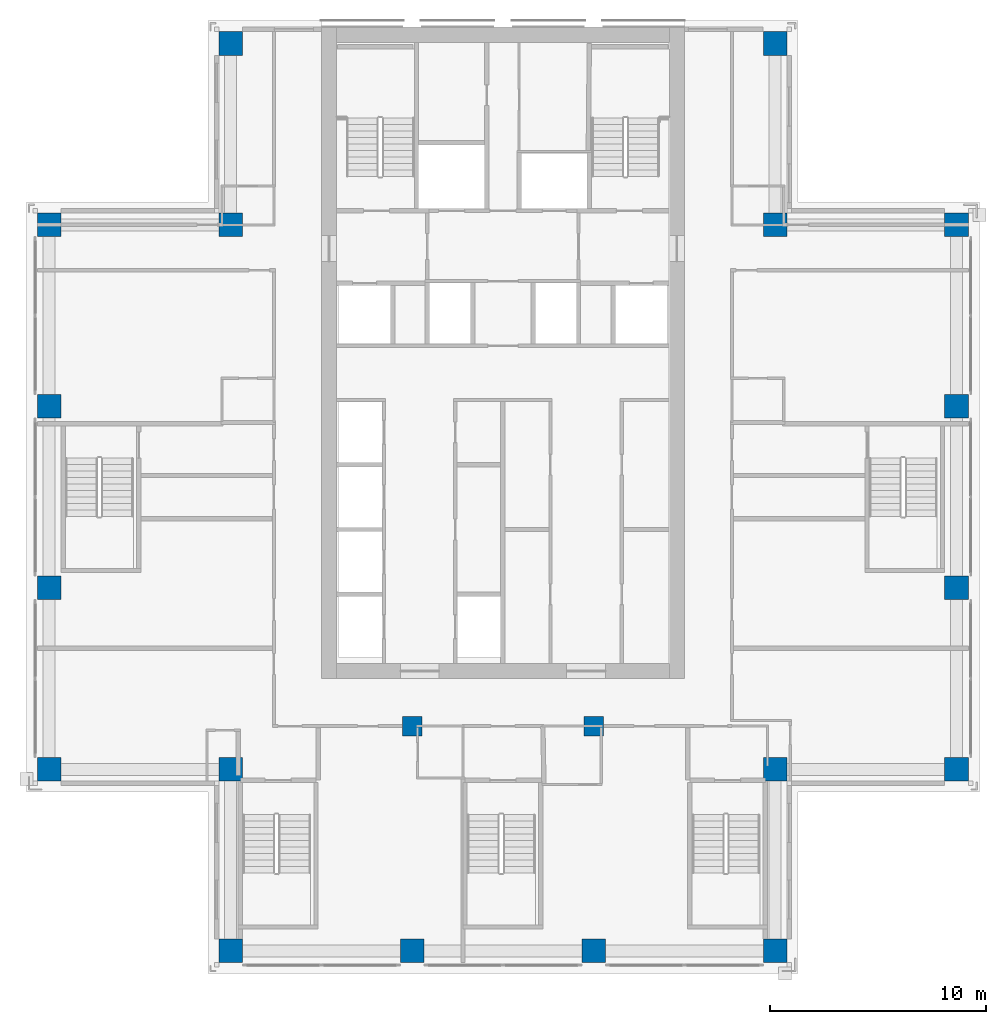
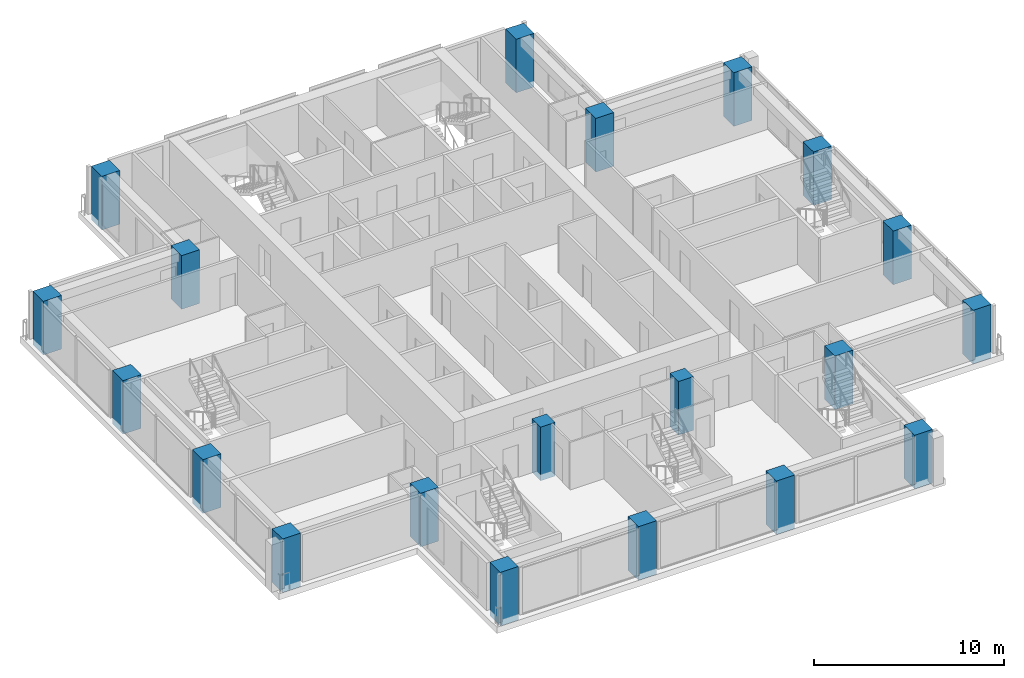
# One storey, part 1 of 16: 20 columns.
"""IFC4 building model written with IfcOpenShell, lengths in metres."""

from ifc_helpers import new_model, si_unit, direction, frame, origin, origin_2d, place, context, subcontext, project, spatial, rectangle, extrude, material, material_profile, profile_set, type_object, element, save


model = new_model("IFC4")

# Units and contexts
model_context = context("Model", 3, precision=1e-05, world=origin(), true_north=direction((0.0, 1.0)))
body_context = subcontext(model_context, "Body", "Model", "MODEL_VIEW")
ifc_project = project(units=[si_unit("LENGTHUNIT", "METRE"), si_unit("AREAUNIT", "SQUARE_METRE"), si_unit("VOLUMEUNIT", "CUBIC_METRE"), si_unit("PLANEANGLEUNIT", "RADIAN"), si_unit("MASSUNIT", "GRAM", prefix="KILO")], contexts=[model_context])

# Site, building, storey
site_placement = place(None, origin())
site = spatial("IfcSite", under=ifc_project, at=site_placement, CompositionType="ELEMENT")
building_placement = place(site_placement, origin())
building = spatial("IfcBuilding", under=site, at=building_placement, Name="Vermilion Ogive Tower", CompositionType="ELEMENT")
storey_placement = place(building_placement, frame((0.0, 0.0, 136.550048828125)))
storey = spatial("IfcBuildingStorey", under=building, at=storey_placement, Name="L34", CompositionType="ELEMENT", Elevation=136.550048828125)

# Columns
ifc_material_1 = material(Name="Concrete B60", Category="concrete")
ifc_material_profile_1 = material_profile(ifc_material_1, rectangle(XDim=1.10009765625, YDim=1.10009765625, at=origin_2d()), Name="1100 x 1100")
ifc_profile_set_1 = profile_set([ifc_material_profile_1], Name="Concrete B60")
column_type_1 = type_object("IfcColumnType", Name="Perimeter column 1100 x 1100 B60", PredefinedType="COLUMN", material=ifc_profile_set_1)
for number, where, z_axis, x_axis, name in (
    (1, (-12.60009765625, -21.0, -0.400146484375), (0.0, 0.0, 1.0), (1.0, 0.0, 0.0), "COL-L34-P-0126-210"),
    (2, (-4.199951171875, -21.0, -0.400146484375), (0.0, 0.0, 1.0), (1.0, 0.0, 0.0), "COL-L34-P-0042-210"),
    (3, (4.199951171875, -21.0, -0.400146484375), (0.0, 0.0, 1.0), (1.0, 0.0, 0.0), "COL-L34-P+0042-210"),
    (4, (12.60009765625, -21.0, -0.400146484375), (0.0, 0.0, 1.0), (1.0, 0.0, 0.0), "COL-L34-P+0126-210"),
    (5, (-21.0, -12.60009765625, -0.400146484375), (0.0, 0.0, 1.0), (1.0, 0.0, 0.0), "COL-L34-P-0210-126"),
    (6, (-12.60009765625, -12.60009765625, -0.400146484375), (0.0, 0.0, 1.0), (1.0, 0.0, 0.0), "COL-L34-P-0126-126"),
    (7, (12.60009765625, -12.60009765625, -0.400146484375), (0.0, 0.0, 1.0), (1.0, 0.0, 0.0), "COL-L34-P+0126-126"),
    (8, (21.0, -12.60009765625, -0.400146484375), (0.0, 0.0, 1.0), (1.0, 0.0, 0.0), "COL-L34-P+0210-126"),
    (9, (-21.0, -4.199951171875, -0.400146484375), (0.0, 0.0, 1.0), (1.0, 0.0, 0.0), "COL-L34-P-0210-042"),
    (10, (21.0, -4.199951171875, -0.400146484375), (0.0, 0.0, 1.0), (1.0, 0.0, 0.0), "COL-L34-P+0210-042"),
    (11, (-21.0, 4.199951171875, -0.400146484375), (0.0, 0.0, 1.0), (1.0, 0.0, 0.0), "COL-L34-P-0210+042"),
    (12, (21.0, 4.199951171875, -0.400146484375), (0.0, 0.0, 1.0), (1.0, 0.0, 0.0), "COL-L34-P+0210+042"),
    (13, (-21.0, 12.60009765625, -0.400146484375), (0.0, 0.0, 1.0), (1.0, 0.0, 0.0), "COL-L34-P-0210+126"),
    (14, (-12.60009765625, 12.60009765625, -0.400146484375), (0.0, 0.0, 1.0), (1.0, 0.0, 0.0), "COL-L34-P-0126+126"),
    (15, (12.60009765625, 12.60009765625, -0.400146484375), (0.0, 0.0, 1.0), (1.0, 0.0, 0.0), "COL-L34-P+0126+126"),
    (16, (21.0, 12.60009765625, -0.400146484375), (0.0, 0.0, 1.0), (1.0, 0.0, 0.0), "COL-L34-P+0210+126"),
    (17, (-12.60009765625, 21.0, -0.400146484375), (0.0, 0.0, 1.0), (1.0, 0.0, 0.0), "COL-L34-P-0126+210"),
    (18, (12.60009765625, 21.0, -0.400146484375), (0.0, 0.0, 1.0), (1.0, 0.0, 0.0), "COL-L34-P+0126+210"),
):
    element("IfcColumn", number, at=place(storey_placement, frame(where, z_axis=z_axis, x_axis=x_axis)), inside=storey, type_object=column_type_1, Name=name, PredefinedType="COLUMN", context=body_context, shape_type="SweptSolid", body=[
        extrude(rectangle(XDim=1.10009765625, YDim=1.10009765625, at=origin_2d()), origin(), (0.0, 0.0, 1.0), 3.4501953125),
    ])
ifc_material_2 = material(Name="Concrete B60", Category="concrete")
ifc_material_profile_2 = material_profile(ifc_material_2, rectangle(XDim=0.89990234375, YDim=0.89990234375, at=origin_2d()), Name="900 x 900")
ifc_profile_set_2 = profile_set([ifc_material_profile_2], Name="Concrete B60")
column_type_2 = type_object("IfcColumnType", Name="Ring column 900 x 900 B60", PredefinedType="COLUMN", material=ifc_profile_set_2)
for number, where, z_axis, x_axis, name in (
    (19, (-4.199951171875, -10.60009765625, -0.400146484375), (0.0, 0.0, 1.0), (1.0, 0.0, 0.0), "COL-L34-R-0042-106"),
    (20, (4.199951171875, -10.60009765625, -0.400146484375), (0.0, 0.0, 1.0), (1.0, 0.0, 0.0), "COL-L34-R+0042-106"),
):
    element("IfcColumn", number, at=place(storey_placement, frame(where, z_axis=z_axis, x_axis=x_axis)), inside=storey, type_object=column_type_2, Name=name, PredefinedType="COLUMN", context=body_context, shape_type="SweptSolid", body=[
        extrude(rectangle(XDim=0.89990234375, YDim=0.89990234375, at=origin_2d()), origin(), (0.0, 0.0, 1.0), 3.4501953125),
    ])

save(model, "model.ifc")
